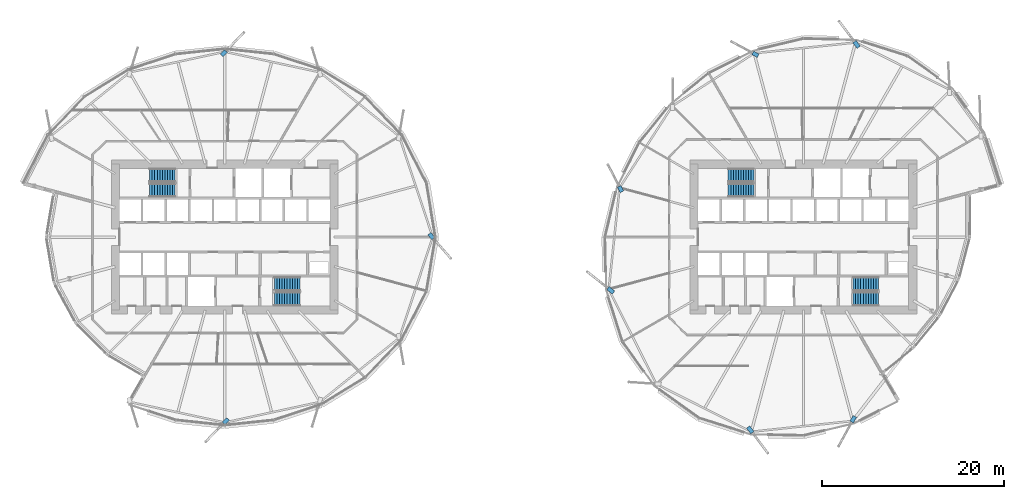
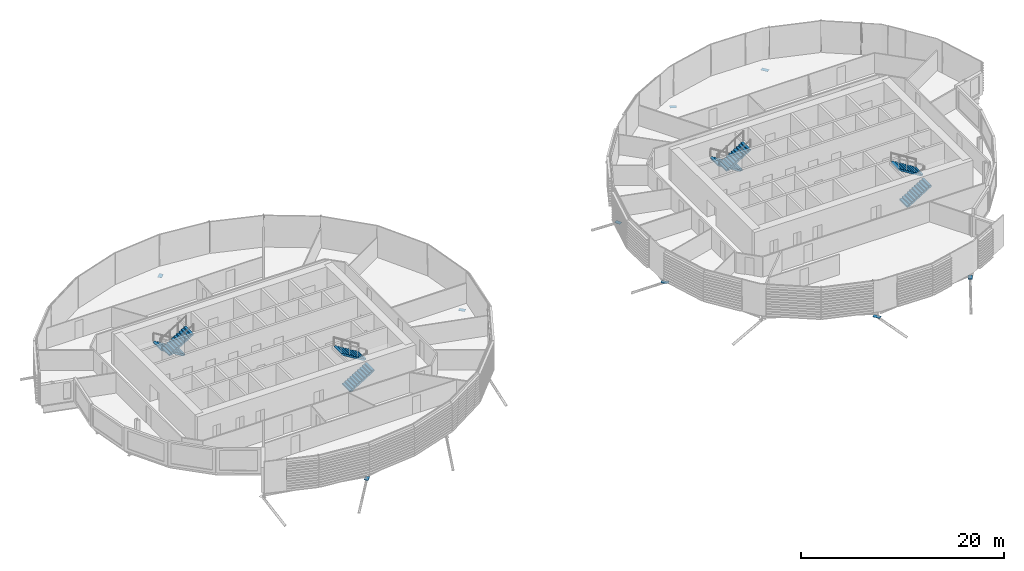
# One storey, part 27 of 37: 9 discrete accessories, 8 stair flights, 4 elements without a shape of their own.
"""IFC4 building model written with IfcOpenShell, lengths in metres."""

from ifc_helpers import new_model, si_unit, direction, frame, origin, origin_2d, place, context, subcontext, project, spatial, polyline, rectangle, outline, extrude, material, material_profile, profile_set, type_object, element, aggregate, save


model = new_model("IFC4")

# Units and contexts
model_context = context("Model", 3, precision=1e-05, world=origin(), true_north=direction((0.0, 1.0)))
body_context = subcontext(model_context, "Body", "Model", "MODEL_VIEW")
ifc_project = project(units=[si_unit("LENGTHUNIT", "METRE"), si_unit("AREAUNIT", "SQUARE_METRE"), si_unit("VOLUMEUNIT", "CUBIC_METRE"), si_unit("PLANEANGLEUNIT", "RADIAN"), si_unit("MASSUNIT", "GRAM", prefix="KILO")], contexts=[model_context])

# Site, building, storey
site_placement = place(None, origin())
site = spatial("IfcSite", under=ifc_project, at=site_placement, CompositionType="ELEMENT")
building_placement = place(site_placement, origin())
building = spatial("IfcBuilding", under=site, at=building_placement, Name="Rimbun Link Towers", CompositionType="ELEMENT")
storey_placement = place(building_placement, frame((0.0, 0.0, 60.39990234375)))
storey = spatial("IfcBuildingStorey", under=building, at=storey_placement, Name="L14", CompositionType="ELEMENT", Elevation=60.39990234375)

# Stair, stair flights
ifc_material_1 = material(Name="Concrete C40/50", Category="concrete")
stair_type = type_object("IfcStairType", Name="Exit stair 3800 rise", PredefinedType="HALF_TURN_STAIR", material=ifc_material_1)
stair_1_placement = place(storey_placement, origin())
stair_1 = element("IfcStair", 1, at=stair_1_placement, inside=storey, type_object=stair_type, Name="L14 EXIT STAIR A", PredefinedType="HALF_TURN_STAIR")
ifc_material_2 = material(Name="Concrete C40/50", Category="concrete")
stair_flight_type = type_object("IfcStairFlightType", Name="Exit stair flight 3800 rise", PredefinedType="STRAIGHT", material=ifc_material_2)
stair_flight_1_placement = place(storey_placement, frame((-37.199951171875, 6.800048828125, 0.0), z_axis=(0.0, 0.0, 1.0), x_axis=(-1.0, 0.0, 0.0)))
stair_flight_1 = element("IfcStairFlight", 2, at=stair_flight_1_placement, type_object=stair_flight_type, Name="ST1 flight 1", NumberOfRisers=11, NumberOfTreads=10, PredefinedType="STRAIGHT", RiserHeight=0.172727273, TreadLength=0.28, context=body_context, shape_type="SweptSolid", body=[
    extrude(outline(polyline([(0.0, 0.0), (0.0, 0.172607421875), (0.280029296875, 0.172607421875), (0.280029296875, 0.345458984375), (0.56005859375, 0.345458984375), (0.56005859375, 0.51806640625), (0.840087890625, 0.51806640625), (0.840087890625, 0.69091796875), (1.1201171875, 0.69091796875), (1.1201171875, 0.863525390625), (1.39990234375, 0.863525390625), (1.39990234375, 1.036376953125), (1.679931640625, 1.036376953125), (1.679931640625, 1.208984375), (1.9599609375, 1.208984375), (1.9599609375, 1.3818359375), (2.239990234375, 1.3818359375), (2.239990234375, 1.554443359375), (2.52001953125, 1.554443359375), (2.52001953125, 1.727294921875), (2.800048828125, 1.727294921875), (2.800048828125, 1.89990234375), (2.800048828125, 1.551025390625), (0.280029296875, 0.0), (0.0, 0.0)])), frame((0.0, 0.75, 0.0), z_axis=(0.0, -1.0, 0.0), x_axis=(1.0, 0.0, 0.0)), (0.0, 0.0, 1.0), 1.5),
])
stair_flight_2_placement = place(storey_placement, frame((-40.0, 5.14990234375, 1.900146484375), z_axis=(0.0, 0.0, 1.0), x_axis=(1.0, 0.0, 0.0)))
stair_flight_2 = element("IfcStairFlight", 3, at=stair_flight_2_placement, type_object=stair_flight_type, Name="ST1 flight 2", NumberOfRisers=11, NumberOfTreads=10, PredefinedType="STRAIGHT", RiserHeight=0.172727273, TreadLength=0.28, context=body_context, shape_type="SweptSolid", body=[
    extrude(outline(polyline([(0.0, 0.0), (0.0, 0.172607421875), (0.280029296875, 0.172607421875), (0.280029296875, 0.345458984375), (0.56005859375, 0.345458984375), (0.56005859375, 0.51806640625), (0.840087890625, 0.51806640625), (0.840087890625, 0.69091796875), (1.1201171875, 0.69091796875), (1.1201171875, 0.863525390625), (1.39990234375, 0.863525390625), (1.39990234375, 1.036376953125), (1.679931640625, 1.036376953125), (1.679931640625, 1.208984375), (1.9599609375, 1.208984375), (1.9599609375, 1.3818359375), (2.239990234375, 1.3818359375), (2.239990234375, 1.554443359375), (2.52001953125, 1.554443359375), (2.52001953125, 1.727294921875), (2.800048828125, 1.727294921875), (2.800048828125, 1.89990234375), (2.800048828125, 1.551025390625), (0.280029296875, 0.0), (0.0, 0.0)])), frame((0.0, 0.75, 0.0), z_axis=(0.0, -1.0, 0.0), x_axis=(1.0, 0.0, 0.0)), (0.0, 0.0, 1.0), 1.5),
])
aggregate(stair_1, [stair_flight_1, stair_flight_2])

stair_2_placement = place(storey_placement, origin())
stair_2 = element("IfcStair", 4, at=stair_2_placement, inside=storey, type_object=stair_type, Name="L14 EXIT STAIR B", PredefinedType="HALF_TURN_STAIR")
stair_flight_3_placement = place(storey_placement, frame((-26.300048828125, -6.800048828125, 0.0), z_axis=(0.0, 0.0, 1.0), x_axis=(1.0, 0.0, 0.0)))
stair_flight_3 = element("IfcStairFlight", 5, at=stair_flight_3_placement, type_object=stair_flight_type, Name="ST2 flight 1", NumberOfRisers=11, NumberOfTreads=10, PredefinedType="STRAIGHT", RiserHeight=0.172727273, TreadLength=0.28, context=body_context, shape_type="SweptSolid", body=[
    extrude(outline(polyline([(0.0, 0.0), (0.0, 0.172607421875), (0.280029296875, 0.172607421875), (0.280029296875, 0.345458984375), (0.56005859375, 0.345458984375), (0.56005859375, 0.51806640625), (0.840087890625, 0.51806640625), (0.840087890625, 0.69091796875), (1.1201171875, 0.69091796875), (1.1201171875, 0.863525390625), (1.39990234375, 0.863525390625), (1.39990234375, 1.036376953125), (1.679931640625, 1.036376953125), (1.679931640625, 1.208984375), (1.9599609375, 1.208984375), (1.9599609375, 1.3818359375), (2.239990234375, 1.3818359375), (2.239990234375, 1.554443359375), (2.52001953125, 1.554443359375), (2.52001953125, 1.727294921875), (2.800048828125, 1.727294921875), (2.800048828125, 1.89990234375), (2.800048828125, 1.551025390625), (0.280029296875, 0.0), (0.0, 0.0)])), frame((0.0, 0.75, 0.0), z_axis=(0.0, -1.0, 0.0), x_axis=(1.0, 0.0, 0.0)), (0.0, 0.0, 1.0), 1.5),
])
stair_flight_4_placement = place(storey_placement, frame((-23.5, -5.14990234375, 1.900146484375), z_axis=(0.0, 0.0, 1.0), x_axis=(-1.0, 0.0, 0.0)))
stair_flight_4 = element("IfcStairFlight", 6, at=stair_flight_4_placement, type_object=stair_flight_type, Name="ST2 flight 2", NumberOfRisers=11, NumberOfTreads=10, PredefinedType="STRAIGHT", RiserHeight=0.172727273, TreadLength=0.28, context=body_context, shape_type="SweptSolid", body=[
    extrude(outline(polyline([(0.0, 0.0), (0.0, 0.172607421875), (0.280029296875, 0.172607421875), (0.280029296875, 0.345458984375), (0.56005859375, 0.345458984375), (0.56005859375, 0.51806640625), (0.840087890625, 0.51806640625), (0.840087890625, 0.69091796875), (1.1201171875, 0.69091796875), (1.1201171875, 0.863525390625), (1.39990234375, 0.863525390625), (1.39990234375, 1.036376953125), (1.679931640625, 1.036376953125), (1.679931640625, 1.208984375), (1.9599609375, 1.208984375), (1.9599609375, 1.3818359375), (2.239990234375, 1.3818359375), (2.239990234375, 1.554443359375), (2.52001953125, 1.554443359375), (2.52001953125, 1.727294921875), (2.800048828125, 1.727294921875), (2.800048828125, 1.89990234375), (2.800048828125, 1.551025390625), (0.280029296875, 0.0), (0.0, 0.0)])), frame((0.0, 0.75, 0.0), z_axis=(0.0, -1.0, 0.0), x_axis=(1.0, 0.0, 0.0)), (0.0, 0.0, 1.0), 1.5),
])
aggregate(stair_2, [stair_flight_3, stair_flight_4])

stair_3_placement = place(storey_placement, origin())
stair_3 = element("IfcStair", 7, at=stair_3_placement, inside=storey, type_object=stair_type, Name="L14 EXIT STAIR A", PredefinedType="HALF_TURN_STAIR")
stair_flight_5_placement = place(storey_placement, frame((26.300048828125, 6.800048828125, 0.0), z_axis=(0.0, 0.0, 1.0), x_axis=(-1.0, 0.0, 0.0)))
stair_flight_5 = element("IfcStairFlight", 8, at=stair_flight_5_placement, type_object=stair_flight_type, Name="ST3 flight 1", NumberOfRisers=11, NumberOfTreads=10, PredefinedType="STRAIGHT", RiserHeight=0.172727273, TreadLength=0.28, context=body_context, shape_type="SweptSolid", body=[
    extrude(outline(polyline([(0.0, 0.0), (0.0, 0.172607421875), (0.280029296875, 0.172607421875), (0.280029296875, 0.345458984375), (0.56005859375, 0.345458984375), (0.56005859375, 0.51806640625), (0.840087890625, 0.51806640625), (0.840087890625, 0.69091796875), (1.1201171875, 0.69091796875), (1.1201171875, 0.863525390625), (1.39990234375, 0.863525390625), (1.39990234375, 1.036376953125), (1.679931640625, 1.036376953125), (1.679931640625, 1.208984375), (1.9599609375, 1.208984375), (1.9599609375, 1.3818359375), (2.239990234375, 1.3818359375), (2.239990234375, 1.554443359375), (2.52001953125, 1.554443359375), (2.52001953125, 1.727294921875), (2.800048828125, 1.727294921875), (2.800048828125, 1.89990234375), (2.800048828125, 1.551025390625), (0.280029296875, 0.0), (0.0, 0.0)])), frame((0.0, 0.75, 0.0), z_axis=(0.0, -1.0, 0.0), x_axis=(1.0, 0.0, 0.0)), (0.0, 0.0, 1.0), 1.5),
])
stair_flight_6_placement = place(storey_placement, frame((23.5, 5.14990234375, 1.900146484375), z_axis=(0.0, 0.0, 1.0), x_axis=(1.0, 0.0, 0.0)))
stair_flight_6 = element("IfcStairFlight", 9, at=stair_flight_6_placement, type_object=stair_flight_type, Name="ST3 flight 2", NumberOfRisers=11, NumberOfTreads=10, PredefinedType="STRAIGHT", RiserHeight=0.172727273, TreadLength=0.28, context=body_context, shape_type="SweptSolid", body=[
    extrude(outline(polyline([(0.0, 0.0), (0.0, 0.172607421875), (0.280029296875, 0.172607421875), (0.280029296875, 0.345458984375), (0.56005859375, 0.345458984375), (0.56005859375, 0.51806640625), (0.840087890625, 0.51806640625), (0.840087890625, 0.69091796875), (1.1201171875, 0.69091796875), (1.1201171875, 0.863525390625), (1.39990234375, 0.863525390625), (1.39990234375, 1.036376953125), (1.679931640625, 1.036376953125), (1.679931640625, 1.208984375), (1.9599609375, 1.208984375), (1.9599609375, 1.3818359375), (2.239990234375, 1.3818359375), (2.239990234375, 1.554443359375), (2.52001953125, 1.554443359375), (2.52001953125, 1.727294921875), (2.800048828125, 1.727294921875), (2.800048828125, 1.89990234375), (2.800048828125, 1.551025390625), (0.280029296875, 0.0), (0.0, 0.0)])), frame((0.0, 0.75, 0.0), z_axis=(0.0, -1.0, 0.0), x_axis=(1.0, 0.0, 0.0)), (0.0, 0.0, 1.0), 1.5),
])
aggregate(stair_3, [stair_flight_5, stair_flight_6])

stair_4_placement = place(storey_placement, origin())
stair_4 = element("IfcStair", 10, at=stair_4_placement, inside=storey, type_object=stair_type, Name="L14 EXIT STAIR B", PredefinedType="HALF_TURN_STAIR")
stair_flight_7_placement = place(storey_placement, frame((37.199951171875, -6.800048828125, 0.0), z_axis=(0.0, 0.0, 1.0), x_axis=(1.0, 0.0, 0.0)))
stair_flight_7 = element("IfcStairFlight", 11, at=stair_flight_7_placement, type_object=stair_flight_type, Name="ST4 flight 1", NumberOfRisers=11, NumberOfTreads=10, PredefinedType="STRAIGHT", RiserHeight=0.172727273, TreadLength=0.28, context=body_context, shape_type="SweptSolid", body=[
    extrude(outline(polyline([(0.0, 0.0), (0.0, 0.172607421875), (0.280029296875, 0.172607421875), (0.280029296875, 0.345458984375), (0.56005859375, 0.345458984375), (0.56005859375, 0.51806640625), (0.840087890625, 0.51806640625), (0.840087890625, 0.69091796875), (1.1201171875, 0.69091796875), (1.1201171875, 0.863525390625), (1.39990234375, 0.863525390625), (1.39990234375, 1.036376953125), (1.679931640625, 1.036376953125), (1.679931640625, 1.208984375), (1.9599609375, 1.208984375), (1.9599609375, 1.3818359375), (2.239990234375, 1.3818359375), (2.239990234375, 1.554443359375), (2.52001953125, 1.554443359375), (2.52001953125, 1.727294921875), (2.800048828125, 1.727294921875), (2.800048828125, 1.89990234375), (2.800048828125, 1.551025390625), (0.280029296875, 0.0), (0.0, 0.0)])), frame((0.0, 0.75, 0.0), z_axis=(0.0, -1.0, 0.0), x_axis=(1.0, 0.0, 0.0)), (0.0, 0.0, 1.0), 1.5),
])
stair_flight_8_placement = place(storey_placement, frame((40.0, -5.14990234375, 1.900146484375), z_axis=(0.0, 0.0, 1.0), x_axis=(-1.0, 0.0, 0.0)))
stair_flight_8 = element("IfcStairFlight", 12, at=stair_flight_8_placement, type_object=stair_flight_type, Name="ST4 flight 2", NumberOfRisers=11, NumberOfTreads=10, PredefinedType="STRAIGHT", RiserHeight=0.172727273, TreadLength=0.28, context=body_context, shape_type="SweptSolid", body=[
    extrude(outline(polyline([(0.0, 0.0), (0.0, 0.172607421875), (0.280029296875, 0.172607421875), (0.280029296875, 0.345458984375), (0.56005859375, 0.345458984375), (0.56005859375, 0.51806640625), (0.840087890625, 0.51806640625), (0.840087890625, 0.69091796875), (1.1201171875, 0.69091796875), (1.1201171875, 0.863525390625), (1.39990234375, 0.863525390625), (1.39990234375, 1.036376953125), (1.679931640625, 1.036376953125), (1.679931640625, 1.208984375), (1.9599609375, 1.208984375), (1.9599609375, 1.3818359375), (2.239990234375, 1.3818359375), (2.239990234375, 1.554443359375), (2.52001953125, 1.554443359375), (2.52001953125, 1.727294921875), (2.800048828125, 1.727294921875), (2.800048828125, 1.89990234375), (2.800048828125, 1.551025390625), (0.280029296875, 0.0), (0.0, 0.0)])), frame((0.0, 0.75, 0.0), z_axis=(0.0, -1.0, 0.0), x_axis=(1.0, 0.0, 0.0)), (0.0, 0.0, 1.0), 1.5),
])
aggregate(stair_4, [stair_flight_7, stair_flight_8])

# Discrete accessories
ifc_material_3 = material(Name="Steel S355J2H", Category="steel")
ifc_material_profile = material_profile(ifc_material_3, rectangle(XDim=0.43310546875, YDim=0.43310546875, at=origin_2d()), Name="PL 433x433")
ifc_profile_set = profile_set([ifc_material_profile], Name="Steel S355J2H")
discrete_accessory_type = type_object("IfcDiscreteAccessoryType", Name="Link head end plate 433X20", PredefinedType="BRACKET", material=ifc_profile_set)
discrete_accessory_1_placement = place(storey_placement, frame((0.0, 0.0, -0.782470703125)))
element("IfcDiscreteAccessory", 13, at=discrete_accessory_1_placement, inside=storey, type_object=discrete_accessory_type, Name="Link head end plate T1 L14 00", PredefinedType="BRACKET", context=body_context, shape_type="SweptSolid", body=[
    extrude(outline(polyline([(-9.468505859375, 0.227783203125), (-9.024658203125, -0.281005859375), (-8.6982421875, 0.003662109375), (-9.14208984375, 0.512451171875), (-9.468505859375, 0.227783203125)])), origin(), (0.0, 0.0, 1.0), 0.02001953125),
])
discrete_accessory_2_placement = place(storey_placement, frame((0.0, 0.0, -0.86328125)))
element("IfcDiscreteAccessory", 14, at=discrete_accessory_2_placement, inside=storey, type_object=discrete_accessory_type, Name="Link head end plate T1 L14 06", PredefinedType="BRACKET", context=body_context, shape_type="SweptSolid", body=[
    extrude(outline(polyline([(-31.9375, 19.796142578125), (-31.466552734375, 20.278076171875), (-31.776123046875, 20.580810546875), (-32.2470703125, 20.0986328125), (-31.9375, 19.796142578125)])), origin(), (0.0, 0.0, 1.0), 0.019775390625),
])
discrete_accessory_3_placement = place(storey_placement, frame((0.0, 0.0, -0.86328125)))
element("IfcDiscreteAccessory", 15, at=discrete_accessory_3_placement, inside=storey, type_object=discrete_accessory_type, Name="Link head end plate T1 L14 18", PredefinedType="BRACKET", context=body_context, shape_type="SweptSolid", body=[
    extrude(outline(polyline([(-31.5625, -19.796142578125), (-32.033447265625, -20.278076171875), (-31.723876953125, -20.580810546875), (-31.2529296875, -20.0986328125), (-31.5625, -19.796142578125)])), origin(), (0.0, 0.0, 1.0), 0.019775390625),
])
discrete_accessory_4_placement = place(storey_placement, frame((0.0, 0.0, -0.942138671875)))
element("IfcDiscreteAccessory", 16, at=discrete_accessory_4_placement, inside=storey, type_object=discrete_accessory_type, Name="Link head end plate T2 L14 02", PredefinedType="BRACKET", context=body_context, shape_type="SweptSolid", body=[
    extrude(outline(polyline([(37.989990234375, 20.968505859375), (37.524658203125, 21.585693359375), (37.1787109375, 21.3251953125), (37.644287109375, 20.707763671875), (37.989990234375, 20.968505859375)])), origin(), (0.0, 0.0, 1.0), 0.02001953125),
])
discrete_accessory_5_placement = place(storey_placement, frame((0.0, 0.0, -0.86328125)))
element("IfcDiscreteAccessory", 17, at=discrete_accessory_5_placement, inside=storey, type_object=discrete_accessory_type, Name="Link head end plate T2 L14 04", PredefinedType="BRACKET", context=body_context, shape_type="SweptSolid", body=[
    extrude(outline(polyline([(26.8759765625, 20.09521484375), (26.295654296875, 20.40478515625), (26.091796875, 20.02294921875), (26.672119140625, 19.713134765625), (26.8759765625, 20.09521484375)])), origin(), (0.0, 0.0, 1.0), 0.019775390625),
])
discrete_accessory_6_placement = place(storey_placement, frame((0.0, 0.0, -0.63330078125)))
element("IfcDiscreteAccessory", 18, at=discrete_accessory_6_placement, inside=storey, type_object=discrete_accessory_type, Name="Link head end plate T2 L14 08", PredefinedType="BRACKET", context=body_context, shape_type="SweptSolid", body=[
    extrude(outline(polyline([(12.025390625, 5.085205078125), (11.73046875, 5.657470703125), (11.345703125, 5.458984375), (11.640380859375, 4.88671875), (12.025390625, 5.085205078125)])), origin(), (0.0, 0.0, 1.0), 0.02001953125),
])
discrete_accessory_7_placement = place(storey_placement, frame((0.0, 0.0, -0.712890625)))
element("IfcDiscreteAccessory", 19, at=discrete_accessory_7_placement, inside=storey, type_object=discrete_accessory_type, Name="Link head end plate T2 L14 10", PredefinedType="BRACKET", context=body_context, shape_type="SweptSolid", body=[
    extrude(outline(polyline([(11.043701171875, -5.91455078125), (10.43212890625, -5.4287109375), (10.162841796875, -5.767578125), (10.774169921875, -6.25341796875), (11.043701171875, -5.91455078125)])), origin(), (0.0, 0.0, 1.0), 0.019775390625),
])
discrete_accessory_8_placement = place(storey_placement, frame((0.0, 0.0, -0.942138671875)))
element("IfcDiscreteAccessory", 20, at=discrete_accessory_8_placement, inside=storey, type_object=discrete_accessory_type, Name="Link head end plate T2 L14 14", PredefinedType="BRACKET", context=body_context, shape_type="SweptSolid", body=[
    extrude(outline(polyline([(25.510009765625, -20.968505859375), (25.975341796875, -21.585693359375), (26.3212890625, -21.3251953125), (25.855712890625, -20.707763671875), (25.510009765625, -20.968505859375)])), origin(), (0.0, 0.0, 1.0), 0.02001953125),
])
discrete_accessory_9_placement = place(storey_placement, frame((0.0, 0.0, -0.86328125)))
element("IfcDiscreteAccessory", 21, at=discrete_accessory_9_placement, inside=storey, type_object=discrete_accessory_type, Name="Link head end plate T2 L14 16", PredefinedType="BRACKET", context=body_context, shape_type="SweptSolid", body=[
    extrude(outline(polyline([(37.197998046875, -19.572998046875), (36.865478515625, -20.18359375), (37.24560546875, -20.390869140625), (37.578369140625, -19.780029296875), (37.197998046875, -19.572998046875)])), origin(), (0.0, 0.0, 1.0), 0.019775390625),
])

save(model, "model.ifc")
